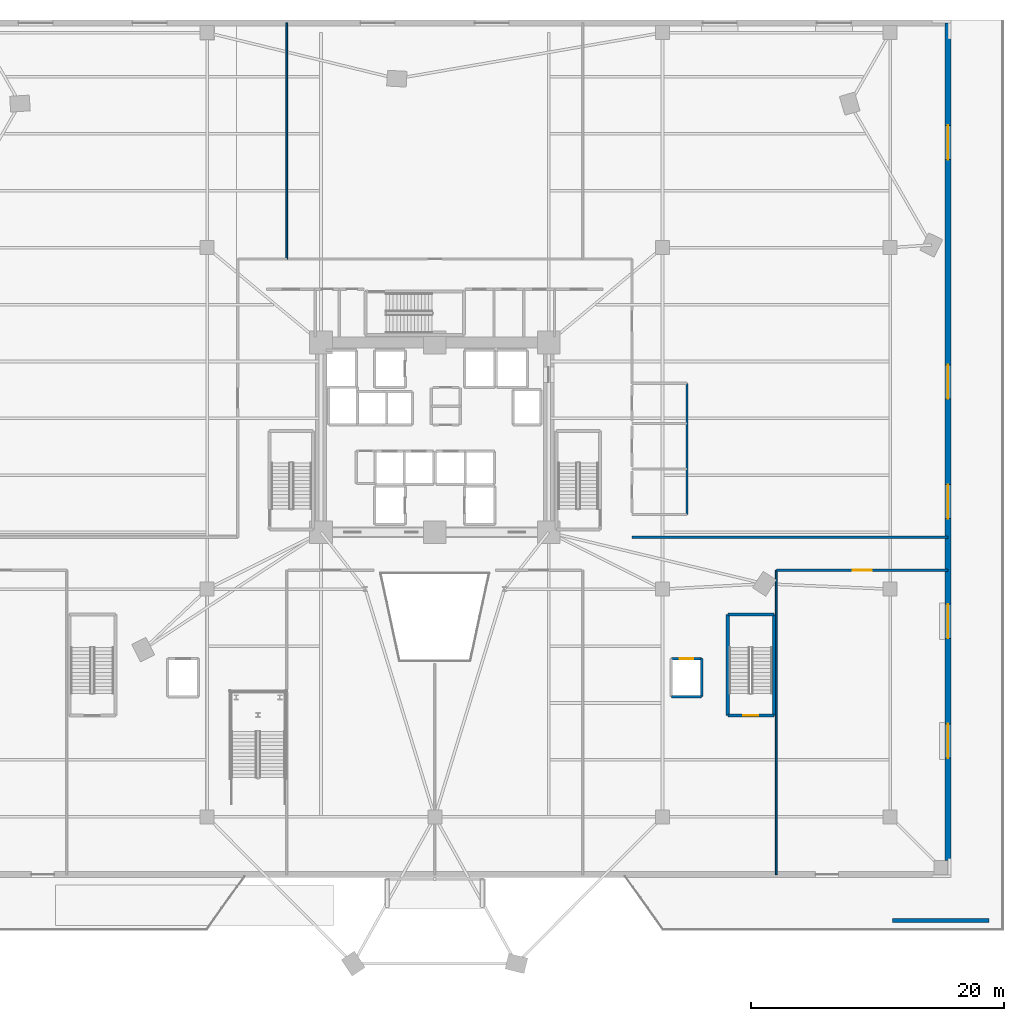
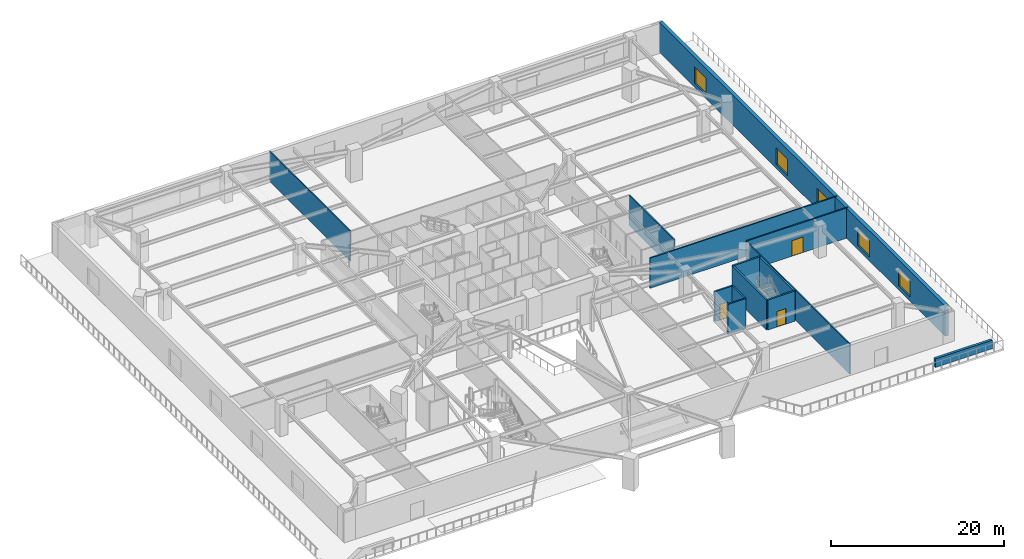
# One storey, part 11 of 19: 14 walls, 5 windows, 3 doors, 8 openings.
"""IFC4 building model written with IfcOpenShell, lengths in metres."""

import ifcopenshell
import ifcopenshell.guid

model = None  # the IFC model being written
_history = None  # IfcOwnerHistory: only IFC2X3 demands one
_inside = {}  # id of a spatial element -> (the spatial element, [elements in it])
_under = {}  # id of a project, library or spatial element -> (it, [spatial elements below it])
_declared = {}  # id of a project -> (the project, [libraries it declares])
_typed = {}  # id of a type object -> (the type object, [elements of that type])
_made_of = {}  # id of a material, layer set ... -> (it, [elements and type objects made of it])


def new_model(schema):
    """Start an empty IFC model of exactly this schema.

    Asked for "IFC4X3", IfcOpenShell would pick the latest addendum, in which some entities
    have other attributes; the version numbers below select the first issue.
    IFC2X3 requires an IfcOwnerHistory on every rooted entity: one is made here for all.
    """
    global model, _history
    if schema == "IFC4X3":
        model = ifcopenshell.file(schema_version=(4, 3, 0, 0))
    else:
        model = ifcopenshell.file(schema=schema)
    _inside.clear()
    _under.clear()
    _declared.clear()
    _typed.clear()
    _made_of.clear()
    _history = None
    if model.schema == "IFC2X3":
        org = make("IfcOrganization", Name="unknown")
        user = make(
            "IfcPersonAndOrganization",
            ThePerson=make("IfcPerson", FamilyName="unknown"),
            TheOrganization=org,
        )
        app = make(
            "IfcApplication",
            ApplicationDeveloper=org,
            Version="unknown",
            ApplicationFullName="unknown",
            ApplicationIdentifier="unknown",
        )
        _history = make(
            "IfcOwnerHistory",
            OwningUser=user,
            OwningApplication=app,
            ChangeAction="ADDED",
            CreationDate=0,
        )
    return model


def make(cls, **values):
    """One entity of the class cls with the attributes given. An attribute that is None is left unset."""
    return model.create_entity(
        cls, **{name: value for name, value in values.items() if value is not None}
    )


def rooted(cls, **values):
    """An entity with a GlobalId (a new one), such as an element, a storey or a relation."""
    return make(cls, GlobalId=ifcopenshell.guid.new(), OwnerHistory=_history, **values)


def si_unit(unit_type, name, prefix=None):
    """IfcSIUnit, for example si_unit("LENGTHUNIT", "METRE", prefix="MILLI")."""
    return make("IfcSIUnit", UnitType=unit_type, Prefix=prefix, Name=name)


def assignment(units):
    """IfcUnitAssignment: the units of a project."""
    return None if units is None else make("IfcUnitAssignment", Units=units)


def point(xyz):
    """IfcCartesianPoint."""
    return None if xyz is None else make("IfcCartesianPoint", Coordinates=xyz)


def direction(xyz):
    """IfcDirection."""
    return None if xyz is None else make("IfcDirection", DirectionRatios=xyz)


def frame(location, z_axis=None, x_axis=None):
    """IfcAxis2Placement3D, a coordinate frame: its origin and axes. An axis left out is left unset."""
    return make(
        "IfcAxis2Placement3D",
        Location=point(location),
        Axis=direction(z_axis),
        RefDirection=direction(x_axis),
    )


def frame_2d(location, x_axis=None):
    """IfcAxis2Placement2D, a coordinate frame in the plane: its origin and x axis."""
    return make(
        "IfcAxis2Placement2D", Location=point(location), RefDirection=direction(x_axis)
    )


def origin():
    """The frame at (0, 0, 0) with its axes left unset."""
    return frame((0.0, 0.0, 0.0))


def place(relative_to, where):
    """IfcLocalPlacement: puts the frame where relative to a parent placement (None: the world)."""
    return make(
        "IfcLocalPlacement", PlacementRelTo=relative_to, RelativePlacement=where
    )


def context(
    kind, dimensions, precision=None, world=None, true_north=None, identifier=None
):
    """IfcGeometricRepresentationContext, for example the 3D "Model" context."""
    return make(
        "IfcGeometricRepresentationContext",
        ContextIdentifier=identifier,
        ContextType=kind,
        CoordinateSpaceDimension=dimensions,
        Precision=precision,
        WorldCoordinateSystem=world,
        TrueNorth=true_north,
    )


def subcontext(parent, identifier, kind, view, scale=None):
    """IfcGeometricRepresentationSubContext, for example "Body" below "Model"."""
    return make(
        "IfcGeometricRepresentationSubContext",
        ContextIdentifier=identifier,
        ContextType=kind,
        ParentContext=parent,
        TargetScale=scale,
        TargetView=view,
    )


def project(units=None, contexts=None):
    """IfcProject with its units and contexts."""
    return rooted(
        "IfcProject",
        Name="project",
        RepresentationContexts=contexts,
        UnitsInContext=assignment(units),
    )


def spatial(cls, under=None, at=None, **own):
    """A site, building, storey or space (cls), placed at a placement, below another one or the project."""
    s = rooted(cls, ObjectPlacement=at, **own)
    if under is not None:
        _under.setdefault(under.id(), (under, []))[1].append(s)
    return s


def profile(cls, at=None, kind="AREA", **sizes):
    """A parametric profile (cls). Its sizes go by their IFC names, for example OverallWidth=200.0."""
    return make(cls, ProfileType=kind, Position=at, **sizes)


def rectangle(**sizes):
    """IfcRectangleProfileDef."""
    return profile("IfcRectangleProfileDef", **sizes)


def extrude(swept, where, along, depth):
    """IfcExtrudedAreaSolid: the profile swept, set in the frame where, extruded along a direction by depth."""
    return make(
        "IfcExtrudedAreaSolid",
        SweptArea=swept,
        Position=where,
        ExtrudedDirection=direction(along),
        Depth=depth,
    )


def shape(context_of_items, identifier, shape_type, items):
    """IfcShapeRepresentation: the items that make up one representation, for example the "Body"."""
    return make(
        "IfcShapeRepresentation",
        ContextOfItems=context_of_items,
        RepresentationIdentifier=identifier,
        RepresentationType=shape_type,
        Items=items,
    )


def source(mapping_origin, context_of_items, identifier, shape_type, items):
    """IfcRepresentationMap: a shape defined once, which mapped items show again and again."""
    return make(
        "IfcRepresentationMap",
        MappingOrigin=mapping_origin,
        MappedRepresentation=shape(context_of_items, identifier, shape_type, items),
    )


def transform(
    local_origin,
    x_axis=None,
    y_axis=None,
    z_axis=None,
    scale=None,
    scale2=None,
    scale3=None,
    uniform=True,
):
    """IfcCartesianTransformationOperator3D, or its non-uniform kind. x_axis, y_axis, z_axis: its Axis1, 2, 3."""
    if uniform:
        return make(
            "IfcCartesianTransformationOperator3D",
            Axis1=direction(x_axis),
            Axis2=direction(y_axis),
            LocalOrigin=point(local_origin),
            Scale=scale,
            Axis3=direction(z_axis),
        )
    return make(
        "IfcCartesianTransformationOperator3DnonUniform",
        Axis1=direction(x_axis),
        Axis2=direction(y_axis),
        LocalOrigin=point(local_origin),
        Scale=scale,
        Axis3=direction(z_axis),
        Scale2=scale2,
        Scale3=scale3,
    )


def mapped(mapping_source, mapping_target):
    """IfcMappedItem: shows the shape of a source again, moved by a transform."""
    return make(
        "IfcMappedItem", MappingSource=mapping_source, MappingTarget=mapping_target
    )


def material(Name=None, Category=None):
    """IfcMaterial."""
    return make("IfcMaterial", Name=Name, Category=Category)


def layer(
    of_material, thickness, ventilated=None, Name=None, Category=None, Priority=None
):
    """IfcMaterialLayer: one layer of a wall or slab, of a material (None: an air gap)."""
    return make(
        "IfcMaterialLayer",
        Material=of_material,
        LayerThickness=thickness,
        IsVentilated=ventilated,
        Name=Name,
        Category=Category,
        Priority=Priority,
    )


def layer_set(layers, Name=None):
    """IfcMaterialLayerSet."""
    return make("IfcMaterialLayerSet", MaterialLayers=layers, LayerSetName=Name)


def made_of(thing, what):
    """Note that an element or type object is made of a material, layer set ...; save() writes the relation."""
    if what is not None:
        _made_of.setdefault(what.id(), (what, []))[1].append(thing)
    return thing


def type_object(cls, material=None, **own):
    """A type object (cls), such as IfcWallType, which elements share."""
    return made_of(rooted(cls, **own), material)


def element(
    cls,
    number,
    at=None,
    inside=None,
    cuts=None,
    type_object=None,
    material=None,
    context=None,
    identifier="Body",
    shape_type=None,
    held_by="IfcProductDefinitionShape",
    body=None,
    shapes=None,
    **own,
):
    """One element of the class cls, such as IfcWall. Its Tag is "e" and its number.

    at: its placement. inside: the storey or other place that contains it. cuts: it is an
    opening in that element (IfcRelVoidsElement). A single representation is given by context,
    identifier, shape_type and body (its items); several are given by shapes. held_by: the class
    of the entity that holds the representations. save() writes the other relations.
    """
    e = rooted(cls, Tag="e%d" % number, ObjectPlacement=at, **own)
    if body is not None:
        shapes = [shape(context, identifier, shape_type, body)]
    if shapes is not None:
        e.Representation = make(held_by, Representations=shapes)
    if inside is not None:
        _inside.setdefault(inside.id(), (inside, []))[1].append(e)
    if cuts is not None:
        rooted(
            "IfcRelVoidsElement", RelatingBuildingElement=cuts, RelatedOpeningElement=e
        )
    if type_object is not None:
        _typed.setdefault(type_object.id(), (type_object, []))[1].append(e)
    return made_of(e, material)


def fill(opening, filler):
    """IfcRelFillsElement: the door or window that sits in an opening."""
    return rooted(
        "IfcRelFillsElement",
        RelatingOpeningElement=opening,
        RelatedBuildingElement=filler,
    )


def aggregate(whole, parts):
    """IfcRelAggregates: a whole, such as a stair, and the parts it consists of."""
    return rooted("IfcRelAggregates", RelatingObject=whole, RelatedObjects=parts)


def save(model, path):
    """Write the relations noted so far, then the file.

    IfcRelAggregates (storeys below a building ...), IfcRelContainedInSpatialStructure (elements
    in a storey), IfcRelDefinesByType, IfcRelAssociatesMaterial and IfcRelDeclares: one each for
    every whole, place, type object, material and project.
    """
    for whole, parts in _under.values():
        aggregate(whole, parts)
    for where, things in _inside.values():
        rooted(
            "IfcRelContainedInSpatialStructure",
            RelatedElements=things,
            RelatingStructure=where,
        )
    for kind, things in _typed.values():
        rooted("IfcRelDefinesByType", RelatedObjects=things, RelatingType=kind)
    for what, things in _made_of.values():
        rooted("IfcRelAssociatesMaterial", RelatedObjects=things, RelatingMaterial=what)
    for by, libraries in _declared.values():
        rooted("IfcRelDeclares", RelatingContext=by, RelatedDefinitions=libraries)
    model.write(path)


model = new_model("IFC4")

# Units and contexts
model_context = context("Model", 3, precision=1e-05, world=origin(), true_north=direction((0.0, 1.0)))
body_context = subcontext(model_context, "Body", "Model", "MODEL_VIEW")
ifc_project = project(units=[si_unit("LENGTHUNIT", "METRE"), si_unit("AREAUNIT", "SQUARE_METRE"), si_unit("VOLUMEUNIT", "CUBIC_METRE"), si_unit("PLANEANGLEUNIT", "RADIAN"), si_unit("MASSUNIT", "GRAM", prefix="KILO")], contexts=[model_context])

# Site, building, storey
site_placement = place(None, origin())
site = spatial("IfcSite", under=ifc_project, at=site_placement, CompositionType="ELEMENT")
building_placement = place(site_placement, origin())
building = spatial("IfcBuilding", under=site, at=building_placement, Name="Liaohun Quay Tower", CompositionType="ELEMENT")
storey_placement = place(building_placement, frame((0.0, 0.0, 9.89990234375)))
storey = spatial("IfcBuildingStorey", under=building, at=storey_placement, Name="L03", CompositionType="ELEMENT", Elevation=9.89990234375)

# Wall, openings, windows
ifc_material_1 = material(Name="Precast concrete C50 with granite facing", Category="masonry")
ifc_layer_1 = layer(ifc_material_1, 0.4599609375, Name="Precast concrete C50 with granite facing", Category="masonry")
ifc_layer_set_1 = layer_set([ifc_layer_1], Name="Precast concrete C50 with granite facing")
wall_type_1 = type_object("IfcWallType", Name="WAL-EXT-POD", PredefinedType="SOLIDWALL", material=ifc_layer_set_1)
wall_1_placement = place(storey_placement, frame((100.570068359375, 20.5400390625, 0.0), z_axis=(0.0, 0.0, 1.0), x_axis=(0.0, 1.0, 0.0)))
wall_1 = element("IfcWall", 1, at=wall_1_placement, inside=storey, type_object=wall_type_1, Name="L03 Podium Precast Facade Wall 01", PredefinedType="SOLIDWALL", context=body_context, shape_type="SweptSolid", body=[
    extrude(rectangle(XDim=66.22998046875, YDim=0.4599609375, at=frame_2d((33.114990234375, 0.0))), origin(), (0.0, 0.0, 1.0), 4.25),
])
shared_shape_1 = source(origin(), body_context, "Body", "SweptSolid", [
    extrude(rectangle(XDim=2.699951171875, YDim=2.35009765625, at=frame_2d((1.35009765625, 1.175048828125))), frame((0.0, 0.239990234375, 0.0), z_axis=(0.0, -1.0, 0.0), x_axis=(1.0, 0.0, 0.0)), (0.0, 0.0, 1.0), 0.47998046875),
])
opening_1_placement = place(wall_1_placement, frame((8.111083984375, 0.0, 0.550048828125)))
opening_1 = element("IfcOpeningElement", 2, at=opening_1_placement, cuts=wall_1, Name="Opening W06", PredefinedType="OPENING", context=body_context, shape_type="MappedRepresentation", body=[
    mapped(shared_shape_1, transform((0.0, 0.0, 0.0), x_axis=(1.0, 0.0, 0.0), y_axis=(0.0, 1.0, 0.0), z_axis=(0.0, 0.0, 1.0), scale=1.0)),
])
opening_2_placement = place(wall_1_placement, frame((17.572998046875, 0.0, 0.550048828125)))
opening_2 = element("IfcOpeningElement", 3, at=opening_2_placement, cuts=wall_1, Name="Opening W06", PredefinedType="OPENING", context=body_context, shape_type="MappedRepresentation", body=[
    mapped(shared_shape_1, transform((0.0, 0.0, 0.0), x_axis=(1.0, 0.0, 0.0), y_axis=(0.0, 1.0, 0.0), z_axis=(0.0, 0.0, 1.0), scale=1.0)),
])
opening_3_placement = place(wall_1_placement, frame((27.033935546875, 0.0, 0.550048828125)))
opening_3 = element("IfcOpeningElement", 4, at=opening_3_placement, cuts=wall_1, Name="Opening W06", PredefinedType="OPENING", context=body_context, shape_type="MappedRepresentation", body=[
    mapped(shared_shape_1, transform((0.0, 0.0, 0.0), x_axis=(1.0, 0.0, 0.0), y_axis=(0.0, 1.0, 0.0), z_axis=(0.0, 0.0, 1.0), scale=1.0)),
])
opening_4_placement = place(wall_1_placement, frame((36.49609375, 0.0, 0.550048828125)))
opening_4 = element("IfcOpeningElement", 5, at=opening_4_placement, cuts=wall_1, Name="Opening W06", PredefinedType="OPENING", context=body_context, shape_type="MappedRepresentation", body=[
    mapped(shared_shape_1, transform((0.0, 0.0, 0.0), x_axis=(1.0, 0.0, 0.0), y_axis=(0.0, 1.0, 0.0), z_axis=(0.0, 0.0, 1.0), scale=1.0)),
])
opening_5_placement = place(wall_1_placement, frame((55.4189453125, 0.0, 0.550048828125)))
opening_5 = element("IfcOpeningElement", 6, at=opening_5_placement, cuts=wall_1, Name="Opening W06", PredefinedType="OPENING", context=body_context, shape_type="MappedRepresentation", body=[
    mapped(shared_shape_1, transform((0.0, 0.0, 0.0), x_axis=(1.0, 0.0, 0.0), y_axis=(0.0, 1.0, 0.0), z_axis=(0.0, 0.0, 1.0), scale=1.0)),
])
ifc_material_2 = material(Name="Triple Low-E waterfront podium glazing", Category="glass")
window_type = type_object("IfcWindowType", Name="WIN-POD-ARC", PartitioningType="TRIPLE_PANEL_VERTICAL", PredefinedType="WINDOW", material=ifc_material_2)
shared_shape_2 = source(origin(), body_context, "Body", "SweptSolid", [
    extrude(rectangle(XDim=2.699951171875, YDim=2.35009765625, at=frame_2d((1.35009765625, 1.175048828125))), frame((0.0, 0.030029296875, 0.0), z_axis=(0.0, -1.0, 0.0), x_axis=(1.0, 0.0, 0.0)), (0.0, 0.0, 1.0), 0.06005859375),
])
window_1_placement = place(opening_1_placement, origin())
window_1 = element("IfcWindow", 7, at=window_1_placement, inside=storey, type_object=window_type, Name="L03 Podium Punched Window W06-01-01", OverallHeight=2.35009765625, OverallWidth=2.699951171875, PartitioningType="TRIPLE_PANEL_VERTICAL", PredefinedType="WINDOW", context=body_context, shape_type="MappedRepresentation", body=[
    mapped(shared_shape_2, transform((0.0, 0.0, 0.0), x_axis=(1.0, 0.0, 0.0), y_axis=(0.0, 1.0, 0.0), z_axis=(0.0, 0.0, 1.0), scale=1.0)),
])
fill(opening_1, window_1)
window_2_placement = place(opening_2_placement, origin())
window_2 = element("IfcWindow", 8, at=window_2_placement, inside=storey, type_object=window_type, Name="L03 Podium Punched Window W06-01-02", OverallHeight=2.35009765625, OverallWidth=2.699951171875, PartitioningType="TRIPLE_PANEL_VERTICAL", PredefinedType="WINDOW", context=body_context, shape_type="MappedRepresentation", body=[
    mapped(shared_shape_2, transform((0.0, 0.0, 0.0), x_axis=(1.0, 0.0, 0.0), y_axis=(0.0, 1.0, 0.0), z_axis=(0.0, 0.0, 1.0), scale=1.0)),
])
fill(opening_2, window_2)
window_3_placement = place(opening_3_placement, origin())
window_3 = element("IfcWindow", 9, at=window_3_placement, inside=storey, type_object=window_type, Name="L03 Podium Punched Window W06-01-03", OverallHeight=2.35009765625, OverallWidth=2.699951171875, PartitioningType="TRIPLE_PANEL_VERTICAL", PredefinedType="WINDOW", context=body_context, shape_type="MappedRepresentation", body=[
    mapped(shared_shape_2, transform((0.0, 0.0, 0.0), x_axis=(1.0, 0.0, 0.0), y_axis=(0.0, 1.0, 0.0), z_axis=(0.0, 0.0, 1.0), scale=1.0)),
])
fill(opening_3, window_3)
window_4_placement = place(opening_4_placement, origin())
window_4 = element("IfcWindow", 10, at=window_4_placement, inside=storey, type_object=window_type, Name="L03 Podium Punched Window W06-01-04", OverallHeight=2.35009765625, OverallWidth=2.699951171875, PartitioningType="TRIPLE_PANEL_VERTICAL", PredefinedType="WINDOW", context=body_context, shape_type="MappedRepresentation", body=[
    mapped(shared_shape_2, transform((0.0, 0.0, 0.0), x_axis=(1.0, 0.0, 0.0), y_axis=(0.0, 1.0, 0.0), z_axis=(0.0, 0.0, 1.0), scale=1.0)),
])
fill(opening_4, window_4)
window_5_placement = place(opening_5_placement, origin())
window_5 = element("IfcWindow", 11, at=window_5_placement, inside=storey, type_object=window_type, Name="L03 Podium Punched Window W06-01-06", OverallHeight=2.35009765625, OverallWidth=2.699951171875, PartitioningType="TRIPLE_PANEL_VERTICAL", PredefinedType="WINDOW", context=body_context, shape_type="MappedRepresentation", body=[
    mapped(shared_shape_2, transform((0.0, 0.0, 0.0), x_axis=(1.0, 0.0, 0.0), y_axis=(0.0, 1.0, 0.0), z_axis=(0.0, 0.0, 1.0), scale=1.0)),
])
fill(opening_5, window_5)

# Wall
ifc_material_3 = material(Name="Precast concrete C50", Category="concrete")
ifc_layer_2 = layer(ifc_material_3, 0.320068359375, Name="Precast concrete C50", Category="concrete")
ifc_layer_set_2 = layer_set([ifc_layer_2], Name="Precast concrete C50")
wall_type_2 = type_object("IfcWallType", Name="WAL-PAR-320", PredefinedType="PARAPET", material=ifc_layer_set_2)
wall_2_placement = place(storey_placement, frame((96.199951171875, 15.800048828125, 0.0), z_axis=(0.0, 0.0, 1.0), x_axis=(1.0, 0.0, 0.0)))
element("IfcWall", 12, at=wall_2_placement, inside=storey, type_object=wall_type_2, Name="L03 Terrace Corner Parapet Wall PW-1-2", PredefinedType="PARAPET", context=body_context, shape_type="SweptSolid", body=[
    extrude(rectangle(XDim=7.60009765625, YDim=0.320068359375, at=frame_2d((3.800048828125, 0.0))), origin(), (0.0, 0.0, 1.0), 1.22021484375),
])

# Wall, opening, door
ifc_material_4 = material(Name="Autoclaved aerated concrete blockwork", Category="masonry")
ifc_layer_3 = layer(ifc_material_4, 0.179931640625, Name="Autoclaved aerated concrete blockwork", Category="masonry")
ifc_layer_set_3 = layer_set([ifc_layer_3], Name="Autoclaved aerated concrete blockwork")
wall_type_3 = type_object("IfcWallType", Name="WAL-PRT-COR", PredefinedType="PARTITIONING", material=ifc_layer_set_3)
wall_3_placement = place(storey_placement, frame((87.0, 43.5, 0.0), z_axis=(0.0, 0.0, 1.0), x_axis=(1.0, 0.0, 0.0)))
wall_3 = element("IfcWall", 13, at=wall_3_placement, inside=storey, type_object=wall_type_3, Name="L03 Interior Partition Wall 017", PredefinedType="PARTITIONING", context=body_context, shape_type="SweptSolid", body=[
    extrude(rectangle(XDim=13.574951171875, YDim=0.179931640625, at=frame_2d((6.78759765625, 0.0))), origin(), (0.0, 0.0, 1.0), 4.25),
])
shared_shape_3 = source(origin(), body_context, "Body", "SweptSolid", [
    extrude(rectangle(XDim=1.5, YDim=2.199951171875, at=frame_2d((0.75, 1.10009765625))), frame((0.0, 0.099853515625, 0.0), z_axis=(0.0, -1.0, 0.0), x_axis=(1.0, 0.0, 0.0)), (0.0, 0.0, 1.0), 0.199951171875),
])
opening_6_placement = place(wall_3_placement, frame((6.0380859375, 0.0, 0.0)))
opening_6 = element("IfcOpeningElement", 14, at=opening_6_placement, cuts=wall_3, Name="Opening OD2", PredefinedType="OPENING", context=body_context, shape_type="MappedRepresentation", body=[
    mapped(shared_shape_3, transform((0.0, 0.0, 0.0), x_axis=(1.0, 0.0, 0.0), y_axis=(0.0, 1.0, 0.0), z_axis=(0.0, 0.0, 1.0), scale=1.0)),
])
ifc_material_5 = material(Name="Acoustic oak veneer double door")
door_type_1 = type_object("IfcDoorType", Name="DOR-OFF-1500", OperationType="DOUBLE_DOOR_SINGLE_SWING", PredefinedType="DOOR", material=ifc_material_5)
shared_shape_4 = source(origin(), body_context, "Body", "SweptSolid", [
    extrude(rectangle(XDim=1.5, YDim=2.199951171875, at=frame_2d((0.75, 1.10009765625))), frame((0.0, 0.02490234375, 0.0), z_axis=(0.0, -1.0, 0.0), x_axis=(1.0, 0.0, 0.0)), (0.0, 0.0, 1.0), 0.050048828125),
])
door_1_placement = place(opening_6_placement, origin())
door_1 = element("IfcDoor", 15, at=door_1_placement, inside=storey, type_object=door_type_1, Name="L03 Breakout Advisory Suite Door", OperationType="DOUBLE_DOOR_SINGLE_SWING", OverallHeight=2.199951171875, OverallWidth=1.5, PredefinedType="DOOR", context=body_context, shape_type="MappedRepresentation", body=[
    mapped(shared_shape_4, transform((0.0, 0.0, 0.0), x_axis=(1.0, 0.0, 0.0), y_axis=(0.0, 1.0, 0.0), z_axis=(0.0, 0.0, 1.0), scale=1.0)),
])
fill(opening_6, door_1)

# Walls
wall_4_placement = place(storey_placement, frame((75.580078125, 46.10009765625, 0.0), z_axis=(0.0, 0.0, 1.0), x_axis=(1.0, 0.0, 0.0)))
element("IfcWall", 16, at=wall_4_placement, inside=storey, type_object=wall_type_3, Name="L03 Interior Partition Wall 032", PredefinedType="PARTITIONING", context=body_context, shape_type="SweptSolid", body=[
    extrude(rectangle(XDim=24.994873046875, YDim=0.179931640625, at=frame_2d((12.49755859375, 0.0))), origin(), (0.0, 0.0, 1.0), 4.25),
])
ifc_material_6 = material(Name="Gypsum board on twin steel studs", Category="steel")
ifc_layer_4 = layer(ifc_material_6, 0.139892578125, Name="Gypsum board on twin steel studs", Category="steel")
ifc_layer_set_4 = layer_set([ifc_layer_4], Name="Gypsum board on twin steel studs")
wall_type_4 = type_object("IfcWallType", Name="WAL-PRT-OFF", PredefinedType="PARTITIONING", material=ifc_layer_set_4)
wall_5_placement = place(storey_placement, frame((87.0, 19.425048828125, 0.0), z_axis=(0.0, 0.0, 1.0), x_axis=(0.0, 1.0, 0.0)))
element("IfcWall", 17, at=wall_5_placement, inside=storey, type_object=wall_type_4, Name="L03 Interior Partition Wall 036", PredefinedType="PARTITIONING", context=body_context, shape_type="SweptSolid", body=[
    extrude(rectangle(XDim=24.074951171875, YDim=0.139892578125, at=frame_2d((12.03759765625, 0.0))), origin(), (0.0, 0.0, 1.0), 4.25),
])
wall_6_placement = place(storey_placement, frame((48.300048828125, 68.10009765625, 0.0), z_axis=(0.0, 0.0, 1.0), x_axis=(0.0, 1.0, 0.0)))
element("IfcWall", 18, at=wall_6_placement, inside=storey, type_object=wall_type_4, Name="L03 Interior Partition Wall 040", PredefinedType="PARTITIONING", context=body_context, shape_type="SweptSolid", body=[
    extrude(rectangle(XDim=18.6748046875, YDim=0.139892578125, at=frame_2d((9.33740234375, 0.0))), origin(), (0.0, 0.0, 1.0), 4.25),
])
ifc_material_7 = material(Name="Moisture-resistant masonry blockwork", Category="masonry")
ifc_layer_5 = layer(ifc_material_7, 0.159912109375, Name="Moisture-resistant masonry blockwork", Category="masonry")
ifc_layer_set_5 = layer_set([ifc_layer_5], Name="Moisture-resistant masonry blockwork")
wall_type_5 = type_object("IfcWallType", Name="WAL-PRT-WET", PredefinedType="PARTITIONING", material=ifc_layer_set_5)
wall_7_placement = place(storey_placement, frame((79.919921875, 47.919921875, 0.0), z_axis=(0.0, 0.0, 1.0), x_axis=(0.0, 1.0, 0.0)))
element("IfcWall", 19, at=wall_7_placement, inside=storey, type_object=wall_type_5, Name="L03 Interior Partition Wall 026", PredefinedType="PARTITIONING", context=body_context, shape_type="SweptSolid", body=[
    extrude(rectangle(XDim=10.360107421875, YDim=0.159912109375, at=frame_2d((5.18017578125, 0.0))), origin(), (0.0, 0.0, 1.0), 4.25),
])

# Wall, opening, door
ifc_material_8 = material(Name="Concrete C50", Category="concrete")
ifc_layer_6 = layer(ifc_material_8, 0.239990234375, Name="Concrete C50", Category="concrete")
ifc_layer_set_6 = layer_set([ifc_layer_6], Name="Concrete C50")
wall_type_6 = type_object("IfcWallType", Name="WAL-SHF-200", PredefinedType="SOLIDWALL", material=ifc_layer_set_6)
wall_8_placement = place(storey_placement, frame((83.159912109375, 32.0, 0.0), z_axis=(0.0, 0.0, 1.0), x_axis=(1.0, 0.0, 0.0)))
wall_8 = element("IfcWall", 20, at=wall_8_placement, inside=storey, type_object=wall_type_6, Name="L03 Stairwell ST-P2 Structural Core Wall S", PredefinedType="SOLIDWALL", context=body_context, shape_type="SweptSolid", body=[
    extrude(rectangle(XDim=3.64013671875, YDim=0.239990234375, at=frame_2d((1.820068359375, 0.0))), origin(), (0.0, 0.0, 1.0), 4.25),
])
shared_shape_5 = source(origin(), body_context, "Body", "SweptSolid", [
    extrude(rectangle(XDim=1.199951171875, YDim=2.199951171875, at=frame_2d((0.60009765625, 1.10009765625))), frame((0.0, 0.1298828125, 0.0), z_axis=(0.0, -1.0, 0.0), x_axis=(1.0, 0.0, 0.0)), (0.0, 0.0, 1.0), 0.260009765625),
])
opening_7_placement = place(wall_8_placement, frame((1.219970703125, 0.0, 0.0)))
opening_7 = element("IfcOpeningElement", 21, at=opening_7_placement, cuts=wall_8, Name="Opening SD1", PredefinedType="OPENING", context=body_context, shape_type="MappedRepresentation", body=[
    mapped(shared_shape_5, transform((0.0, 0.0, 0.0), x_axis=(1.0, 0.0, 0.0), y_axis=(0.0, 1.0, 0.0), z_axis=(0.0, 0.0, 1.0), scale=1.0)),
])
ifc_material_9 = material(Name="Galvanised steel fire door", Category="steel")
door_type_2 = type_object("IfcDoorType", Name="DOR-STR-1200", OperationType="NOTDEFINED", PredefinedType="DOOR", material=ifc_material_9)
shared_shape_6 = source(origin(), body_context, "Body", "SweptSolid", [
    extrude(rectangle(XDim=1.199951171875, YDim=2.199951171875, at=frame_2d((0.60009765625, 1.10009765625))), frame((0.0, 0.02490234375, 0.0), z_axis=(0.0, -1.0, 0.0), x_axis=(1.0, 0.0, 0.0)), (0.0, 0.0, 1.0), 0.050048828125),
])
door_2_placement = place(opening_7_placement, origin())
door_2 = element("IfcDoor", 22, at=door_2_placement, inside=storey, type_object=door_type_2, Name="L03 Protected Stair ST-P2 Fire Door", OperationType="SINGLE_SWING_RIGHT", OverallHeight=2.199951171875, OverallWidth=1.199951171875, PredefinedType="DOOR", context=body_context, shape_type="MappedRepresentation", body=[
    mapped(shared_shape_6, transform((0.0, 0.0, 0.0), x_axis=(1.0, 0.0, 0.0), y_axis=(0.0, 1.0, 0.0), z_axis=(0.0, 0.0, 1.0), scale=1.0)),
])
fill(opening_7, door_2)

# Walls
wall_9_placement = place(storey_placement, frame((86.800048828125, 32.0, 0.0), z_axis=(0.0, 0.0, 1.0), x_axis=(0.0, 1.0, 0.0)))
element("IfcWall", 23, at=wall_9_placement, inside=storey, type_object=wall_type_6, Name="L03 Stairwell ST-P2 Structural Core Wall E", PredefinedType="SOLIDWALL", context=body_context, shape_type="SweptSolid", body=[
    extrude(rectangle(XDim=8.0, YDim=0.239990234375, at=frame_2d((4.0, 0.0))), origin(), (0.0, 0.0, 1.0), 4.25),
])
wall_10_placement = place(storey_placement, frame((86.800048828125, 40.0, 0.0), z_axis=(0.0, 0.0, 1.0), x_axis=(-1.0, 0.0, 0.0)))
element("IfcWall", 24, at=wall_10_placement, inside=storey, type_object=wall_type_6, Name="L03 Stairwell ST-P2 Structural Core Wall N", PredefinedType="SOLIDWALL", context=body_context, shape_type="SweptSolid", body=[
    extrude(rectangle(XDim=3.64013671875, YDim=0.239990234375, at=frame_2d((1.820068359375, 0.0))), origin(), (0.0, 0.0, 1.0), 4.25),
])
wall_11_placement = place(storey_placement, frame((83.159912109375, 40.0, 0.0), z_axis=(0.0, 0.0, 1.0), x_axis=(0.0, -1.0, 0.0)))
element("IfcWall", 25, at=wall_11_placement, inside=storey, type_object=wall_type_6, Name="L03 Stairwell ST-P2 Structural Core Wall W", PredefinedType="SOLIDWALL", context=body_context, shape_type="SweptSolid", body=[
    extrude(rectangle(XDim=8.0, YDim=0.239990234375, at=frame_2d((4.0, 0.0))), origin(), (0.0, 0.0, 1.0), 4.25),
])
wall_12_placement = place(storey_placement, frame((78.699951171875, 33.5, 0.0), z_axis=(0.0, 0.0, 1.0), x_axis=(1.0, 0.0, 0.0)))
element("IfcWall", 26, at=wall_12_placement, inside=storey, type_object=wall_type_6, Name="L03 Lift PD-02 Hoistway Wall S", PredefinedType="SOLIDWALL", context=body_context, shape_type="SweptSolid", body=[
    extrude(rectangle(XDim=2.400146484375, YDim=0.199951171875, at=frame_2d((1.2001953125, 0.0))), origin(), (0.0, 0.0, 1.0), 4.25),
])
wall_13_placement = place(storey_placement, frame((81.10009765625, 33.5, 0.0), z_axis=(0.0, 0.0, 1.0), x_axis=(0.0, 1.0, 0.0)))
element("IfcWall", 27, at=wall_13_placement, inside=storey, type_object=wall_type_6, Name="L03 Lift PD-02 Hoistway Wall E", PredefinedType="SOLIDWALL", context=body_context, shape_type="SweptSolid", body=[
    extrude(rectangle(XDim=3.0, YDim=0.199951171875, at=frame_2d((1.5, 0.0))), origin(), (0.0, 0.0, 1.0), 4.25),
])

# Wall, opening, door
wall_14_placement = place(storey_placement, frame((81.10009765625, 36.5, 0.0), z_axis=(0.0, 0.0, 1.0), x_axis=(-1.0, 0.0, 0.0)))
wall_14 = element("IfcWall", 28, at=wall_14_placement, inside=storey, type_object=wall_type_6, Name="L03 Lift PD-02 Hoistway Wall N", PredefinedType="SOLIDWALL", context=body_context, shape_type="SweptSolid", body=[
    extrude(rectangle(XDim=2.400146484375, YDim=0.199951171875, at=frame_2d((1.2001953125, 0.0))), origin(), (0.0, 0.0, 1.0), 4.25),
])
shared_shape_7 = source(origin(), body_context, "Body", "SweptSolid", [
    extrude(rectangle(XDim=1.10009765625, YDim=2.199951171875, at=frame_2d((0.550048828125, 1.10009765625))), frame((0.0, 0.10986328125, 0.0), z_axis=(0.0, -1.0, 0.0), x_axis=(1.0, 0.0, 0.0)), (0.0, 0.0, 1.0), 0.219970703125),
])
opening_8_placement = place(wall_14_placement, frame((0.64990234375, 0.0, 0.0)))
opening_8 = element("IfcOpeningElement", 29, at=opening_8_placement, cuts=wall_14, Name="Opening LD1", PredefinedType="OPENING", context=body_context, shape_type="MappedRepresentation", body=[
    mapped(shared_shape_7, transform((0.0, 0.0, 0.0), x_axis=(1.0, 0.0, 0.0), y_axis=(0.0, 1.0, 0.0), z_axis=(0.0, 0.0, 1.0), scale=1.0)),
])
ifc_material_10 = material(Name="Brushed stainless steel landing door", Category="steel")
door_type_3 = type_object("IfcDoorType", Name="DOR-LFT-1100", OperationType="SLIDING_TO_LEFT", PredefinedType="DOOR", material=ifc_material_10)
shared_shape_8 = source(origin(), body_context, "Body", "SweptSolid", [
    extrude(rectangle(XDim=1.10009765625, YDim=2.199951171875, at=frame_2d((0.550048828125, 1.10009765625))), frame((0.0, 0.02490234375, 0.0), z_axis=(0.0, -1.0, 0.0), x_axis=(1.0, 0.0, 0.0)), (0.0, 0.0, 1.0), 0.050048828125),
])
door_3_placement = place(opening_8_placement, origin())
door_3 = element("IfcDoor", 30, at=door_3_placement, inside=storey, type_object=door_type_3, Name="L03 Lift PD-02 Sliding Landing Door", OperationType="SLIDING_TO_LEFT", OverallHeight=2.199951171875, OverallWidth=1.10009765625, PredefinedType="DOOR", context=body_context, shape_type="MappedRepresentation", body=[
    mapped(shared_shape_8, transform((0.0, 0.0, 0.0), x_axis=(1.0, 0.0, 0.0), y_axis=(0.0, 1.0, 0.0), z_axis=(0.0, 0.0, 1.0), scale=1.0)),
])
fill(opening_8, door_3)

save(model, "model.ifc")
